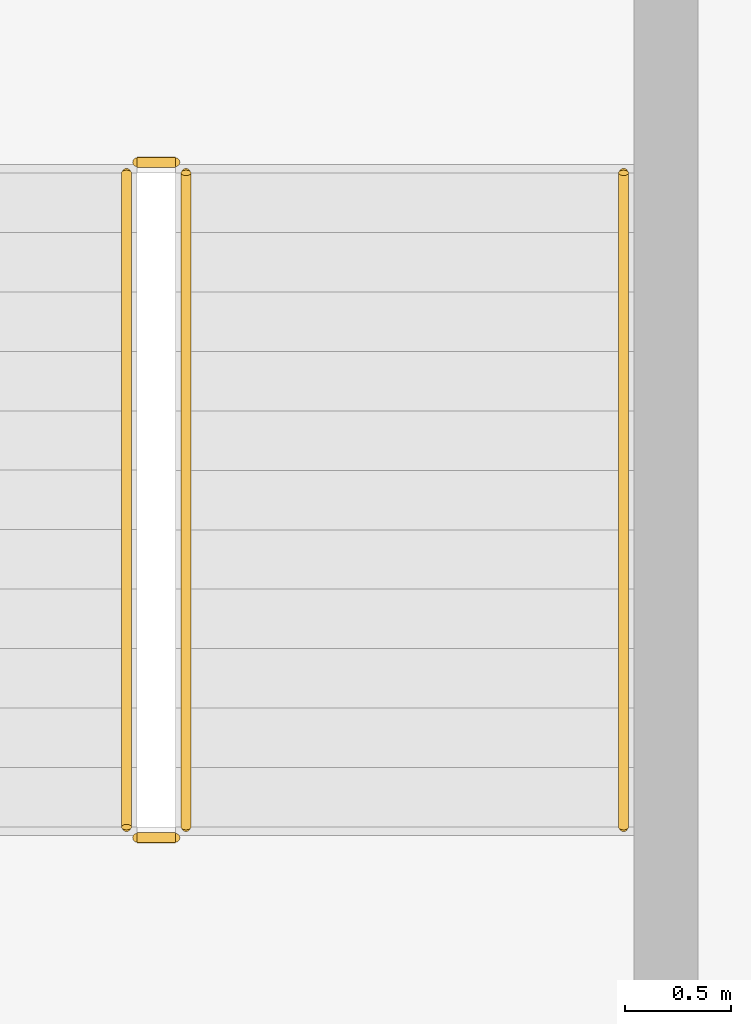
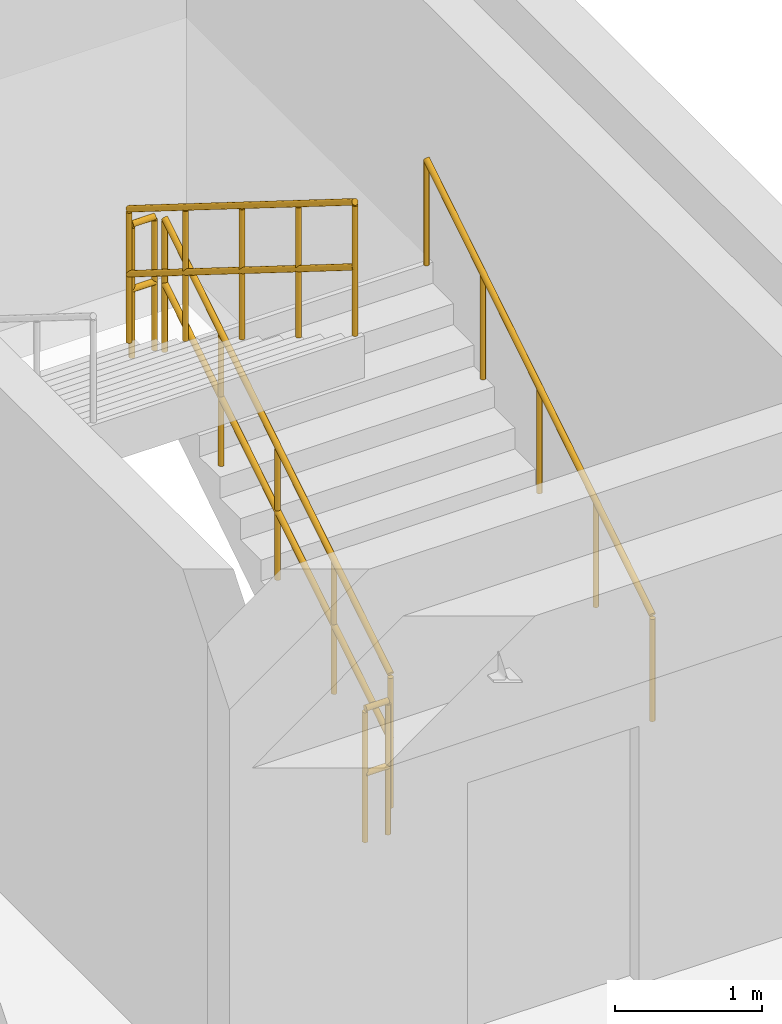
# One storey, part 81 of 83: 5 railings.
"""IFC4 building model written with IfcOpenShell, lengths in metres."""

import ifcopenshell
import ifcopenshell.guid

model = None  # the IFC model being written
_history = None  # IfcOwnerHistory: only IFC2X3 demands one
_inside = {}  # id of a spatial element -> (the spatial element, [elements in it])
_under = {}  # id of a project, library or spatial element -> (it, [spatial elements below it])
_declared = {}  # id of a project -> (the project, [libraries it declares])
_typed = {}  # id of a type object -> (the type object, [elements of that type])
_made_of = {}  # id of a material, layer set ... -> (it, [elements and type objects made of it])


def new_model(schema):
    """Start an empty IFC model of exactly this schema.

    Asked for "IFC4X3", IfcOpenShell would pick the latest addendum, in which some entities
    have other attributes; the version numbers below select the first issue.
    IFC2X3 requires an IfcOwnerHistory on every rooted entity: one is made here for all.
    """
    global model, _history
    if schema == "IFC4X3":
        model = ifcopenshell.file(schema_version=(4, 3, 0, 0))
    else:
        model = ifcopenshell.file(schema=schema)
    _inside.clear()
    _under.clear()
    _declared.clear()
    _typed.clear()
    _made_of.clear()
    _history = None
    if model.schema == "IFC2X3":
        org = make("IfcOrganization", Name="unknown")
        user = make(
            "IfcPersonAndOrganization",
            ThePerson=make("IfcPerson", FamilyName="unknown"),
            TheOrganization=org,
        )
        app = make(
            "IfcApplication",
            ApplicationDeveloper=org,
            Version="unknown",
            ApplicationFullName="unknown",
            ApplicationIdentifier="unknown",
        )
        _history = make(
            "IfcOwnerHistory",
            OwningUser=user,
            OwningApplication=app,
            ChangeAction="ADDED",
            CreationDate=0,
        )
    return model


def make(cls, **values):
    """One entity of the class cls with the attributes given. An attribute that is None is left unset."""
    return model.create_entity(
        cls, **{name: value for name, value in values.items() if value is not None}
    )


def rooted(cls, **values):
    """An entity with a GlobalId (a new one), such as an element, a storey or a relation."""
    return make(cls, GlobalId=ifcopenshell.guid.new(), OwnerHistory=_history, **values)


def si_unit(unit_type, name, prefix=None):
    """IfcSIUnit, for example si_unit("LENGTHUNIT", "METRE", prefix="MILLI")."""
    return make("IfcSIUnit", UnitType=unit_type, Prefix=prefix, Name=name)


def assignment(units):
    """IfcUnitAssignment: the units of a project."""
    return None if units is None else make("IfcUnitAssignment", Units=units)


def point(xyz):
    """IfcCartesianPoint."""
    return None if xyz is None else make("IfcCartesianPoint", Coordinates=xyz)


def direction(xyz):
    """IfcDirection."""
    return None if xyz is None else make("IfcDirection", DirectionRatios=xyz)


def frame(location, z_axis=None, x_axis=None):
    """IfcAxis2Placement3D, a coordinate frame: its origin and axes. An axis left out is left unset."""
    return make(
        "IfcAxis2Placement3D",
        Location=point(location),
        Axis=direction(z_axis),
        RefDirection=direction(x_axis),
    )


def frame_2d(location, x_axis=None):
    """IfcAxis2Placement2D, a coordinate frame in the plane: its origin and x axis."""
    return make(
        "IfcAxis2Placement2D", Location=point(location), RefDirection=direction(x_axis)
    )


def origin():
    """The frame at (0, 0, 0) with its axes left unset."""
    return frame((0.0, 0.0, 0.0))


def origin_2d():
    """The frame at (0, 0) in the plane with its x axis left unset."""
    return frame_2d((0.0, 0.0))


def place(relative_to, where):
    """IfcLocalPlacement: puts the frame where relative to a parent placement (None: the world)."""
    return make(
        "IfcLocalPlacement", PlacementRelTo=relative_to, RelativePlacement=where
    )


def context(
    kind, dimensions, precision=None, world=None, true_north=None, identifier=None
):
    """IfcGeometricRepresentationContext, for example the 3D "Model" context."""
    return make(
        "IfcGeometricRepresentationContext",
        ContextIdentifier=identifier,
        ContextType=kind,
        CoordinateSpaceDimension=dimensions,
        Precision=precision,
        WorldCoordinateSystem=world,
        TrueNorth=true_north,
    )


def subcontext(parent, identifier, kind, view, scale=None):
    """IfcGeometricRepresentationSubContext, for example "Body" below "Model"."""
    return make(
        "IfcGeometricRepresentationSubContext",
        ContextIdentifier=identifier,
        ContextType=kind,
        ParentContext=parent,
        TargetScale=scale,
        TargetView=view,
    )


def project(units=None, contexts=None):
    """IfcProject with its units and contexts."""
    return rooted(
        "IfcProject",
        Name="project",
        RepresentationContexts=contexts,
        UnitsInContext=assignment(units),
    )


def spatial(cls, under=None, at=None, **own):
    """A site, building, storey or space (cls), placed at a placement, below another one or the project."""
    s = rooted(cls, ObjectPlacement=at, **own)
    if under is not None:
        _under.setdefault(under.id(), (under, []))[1].append(s)
    return s


def profile(cls, at=None, kind="AREA", **sizes):
    """A parametric profile (cls). Its sizes go by their IFC names, for example OverallWidth=200.0."""
    return make(cls, ProfileType=kind, Position=at, **sizes)


def circle(**sizes):
    """IfcCircleProfileDef."""
    return profile("IfcCircleProfileDef", **sizes)


def extrude(swept, where, along, depth):
    """IfcExtrudedAreaSolid: the profile swept, set in the frame where, extruded along a direction by depth."""
    return make(
        "IfcExtrudedAreaSolid",
        SweptArea=swept,
        Position=where,
        ExtrudedDirection=direction(along),
        Depth=depth,
    )


def shape(context_of_items, identifier, shape_type, items):
    """IfcShapeRepresentation: the items that make up one representation, for example the "Body"."""
    return make(
        "IfcShapeRepresentation",
        ContextOfItems=context_of_items,
        RepresentationIdentifier=identifier,
        RepresentationType=shape_type,
        Items=items,
    )


def material(Name=None, Category=None):
    """IfcMaterial."""
    return make("IfcMaterial", Name=Name, Category=Category)


def layer(
    of_material, thickness, ventilated=None, Name=None, Category=None, Priority=None
):
    """IfcMaterialLayer: one layer of a wall or slab, of a material (None: an air gap)."""
    return make(
        "IfcMaterialLayer",
        Material=of_material,
        LayerThickness=thickness,
        IsVentilated=ventilated,
        Name=Name,
        Category=Category,
        Priority=Priority,
    )


def layer_set(layers, Name=None):
    """IfcMaterialLayerSet."""
    return make("IfcMaterialLayerSet", MaterialLayers=layers, LayerSetName=Name)


def made_of(thing, what):
    """Note that an element or type object is made of a material, layer set ...; save() writes the relation."""
    if what is not None:
        _made_of.setdefault(what.id(), (what, []))[1].append(thing)
    return thing


def type_object(cls, material=None, **own):
    """A type object (cls), such as IfcWallType, which elements share."""
    return made_of(rooted(cls, **own), material)


def element(
    cls,
    number,
    at=None,
    inside=None,
    cuts=None,
    type_object=None,
    material=None,
    context=None,
    identifier="Body",
    shape_type=None,
    held_by="IfcProductDefinitionShape",
    body=None,
    shapes=None,
    **own,
):
    """One element of the class cls, such as IfcWall. Its Tag is "e" and its number.

    at: its placement. inside: the storey or other place that contains it. cuts: it is an
    opening in that element (IfcRelVoidsElement). A single representation is given by context,
    identifier, shape_type and body (its items); several are given by shapes. held_by: the class
    of the entity that holds the representations. save() writes the other relations.
    """
    e = rooted(cls, Tag="e%d" % number, ObjectPlacement=at, **own)
    if body is not None:
        shapes = [shape(context, identifier, shape_type, body)]
    if shapes is not None:
        e.Representation = make(held_by, Representations=shapes)
    if inside is not None:
        _inside.setdefault(inside.id(), (inside, []))[1].append(e)
    if cuts is not None:
        rooted(
            "IfcRelVoidsElement", RelatingBuildingElement=cuts, RelatedOpeningElement=e
        )
    if type_object is not None:
        _typed.setdefault(type_object.id(), (type_object, []))[1].append(e)
    return made_of(e, material)


def aggregate(whole, parts):
    """IfcRelAggregates: a whole, such as a stair, and the parts it consists of."""
    return rooted("IfcRelAggregates", RelatingObject=whole, RelatedObjects=parts)


def save(model, path):
    """Write the relations noted so far, then the file.

    IfcRelAggregates (storeys below a building ...), IfcRelContainedInSpatialStructure (elements
    in a storey), IfcRelDefinesByType, IfcRelAssociatesMaterial and IfcRelDeclares: one each for
    every whole, place, type object, material and project.
    """
    for whole, parts in _under.values():
        aggregate(whole, parts)
    for where, things in _inside.values():
        rooted(
            "IfcRelContainedInSpatialStructure",
            RelatedElements=things,
            RelatingStructure=where,
        )
    for kind, things in _typed.values():
        rooted("IfcRelDefinesByType", RelatedObjects=things, RelatingType=kind)
    for what, things in _made_of.values():
        rooted("IfcRelAssociatesMaterial", RelatedObjects=things, RelatingMaterial=what)
    for by, libraries in _declared.values():
        rooted("IfcRelDeclares", RelatingContext=by, RelatedDefinitions=libraries)
    model.write(path)


model = new_model("IFC4")

# Units and contexts
model_context = context("Model", 3, precision=1e-05, world=origin(), true_north=direction((0.0, 1.0)))
body_context = subcontext(model_context, "Body", "Model", "MODEL_VIEW")
ifc_project = project(units=[si_unit("LENGTHUNIT", "METRE"), si_unit("AREAUNIT", "SQUARE_METRE"), si_unit("VOLUMEUNIT", "CUBIC_METRE"), si_unit("PLANEANGLEUNIT", "RADIAN"), si_unit("MASSUNIT", "GRAM", prefix="KILO")], contexts=[model_context])

# Site, building, storey
site_placement = place(None, origin())
site = spatial("IfcSite", under=ifc_project, at=site_placement, CompositionType="ELEMENT")
building_placement = place(site_placement, origin())
building = spatial("IfcBuilding", under=site, at=building_placement, Name="Kivolera Central Railway Station", CompositionType="ELEMENT")
storey_placement = place(building_placement, frame((0.0, 0.0, 14.39990234375)))
storey = spatial("IfcBuildingStorey", under=building, at=storey_placement, Name="L03", CompositionType="ELEMENT", Elevation=14.39990234375)

# Railings
ifc_material = material(Name="Anodised aluminium", Category="aluminium")
ifc_layer_1 = layer(ifc_material, 0.048095703125, Name="Anodised aluminium")
ifc_layer_set_1 = layer_set([ifc_layer_1], Name="Anodised aluminium")
railing_type_1 = type_object("IfcRailingType", Name="RL-STAIR-GUARD", PredefinedType="GUARDRAIL", material=ifc_layer_set_1)
railing_1_placement = place(storey_placement, frame((192.989990234375, 92.9599609375, 0.175048828125)))
element("IfcRailing", 1, at=railing_1_placement, inside=storey, type_object=railing_type_1, Name="L03 ST11 stair guard 1", PredefinedType="GUARDRAIL", context=body_context, shape_type="SweptSolid", body=[
    extrude(circle(Radius=0.02392578125, at=origin_2d()), frame((0.0, 0.0, 1.10595703125), z_axis=(0.0, 0.847998304005, 0.529998940003), x_axis=(-1.0, 0.0, 0.0)), (0.0, 0.0, 1.0), 3.632080078125),
    extrude(circle(Radius=0.02392578125, at=origin_2d()), frame((0.0, 0.0, 0.56494140625), z_axis=(0.0, 0.847998304005, 0.529998940003), x_axis=(-1.0, 0.0, 0.0)), (0.0, 0.0, 1.0), 3.632080078125),
    extrude(circle(Radius=0.02099609375, at=origin_2d()), origin(), (0.0, 0.0, 1.0), 1.081787109375),
    extrude(circle(Radius=0.02099609375, at=origin_2d()), frame((0.0, 0.77001953125, 0.481201171875)), (0.0, 0.0, 1.0), 1.081787109375),
    extrude(circle(Radius=0.02099609375, at=origin_2d()), frame((0.0, 1.5400390625, 0.96240234375)), (0.0, 0.0, 1.0), 1.081787109375),
    extrude(circle(Radius=0.02099609375, at=origin_2d()), frame((0.0, 2.31005859375, 1.44384765625)), (0.0, 0.0, 1.0), 1.081787109375),
    extrude(circle(Radius=0.02099609375, at=origin_2d()), frame((0.0, 3.080078125, 1.925048828125)), (0.0, 0.0, 1.0), 1.081787109375),
])
railing_2_placement = place(storey_placement, frame((192.93994140625, 96.090087890625, 2.10009765625)))
element("IfcRailing", 2, at=railing_2_placement, inside=storey, type_object=railing_type_1, Name="L03 ST11 stair guard 2", PredefinedType="GUARDRAIL", context=body_context, shape_type="SweptSolid", body=[
    extrude(circle(Radius=0.02392578125, at=origin_2d()), frame((0.0, 0.0, 1.10595703125), z_axis=(-1.0, 0.0, 0.0), x_axis=(0.0, -1.0, 0.0)), (0.0, 0.0, 1.0), 0.179931640625),
    extrude(circle(Radius=0.02392578125, at=origin_2d()), frame((0.0, 0.0, 0.56494140625), z_axis=(-1.0, 0.0, 0.0), x_axis=(0.0, -1.0, 0.0)), (0.0, 0.0, 1.0), 0.179931640625),
    extrude(circle(Radius=0.02099609375, at=origin_2d()), origin(), (0.0, 0.0, 1.0), 1.081787109375),
    extrude(circle(Radius=0.02099609375, at=origin_2d()), frame((-0.179931640625, 0.0, 0.0)), (0.0, 0.0, 1.0), 1.081787109375),
])
railing_3_placement = place(storey_placement, frame((192.7099609375, 96.0400390625, 2.275146484375)))
element("IfcRailing", 3, at=railing_3_placement, inside=storey, type_object=railing_type_1, Name="L03 ST11 stair guard 3", PredefinedType="GUARDRAIL", context=body_context, shape_type="SweptSolid", body=[
    extrude(circle(Radius=0.02392578125, at=origin_2d()), frame((0.0, 0.0, 1.10595703125), z_axis=(0.0, -0.847998304005, 0.529998940003), x_axis=(1.0, 0.0, 0.0)), (0.0, 0.0, 1.0), 3.632080078125),
    extrude(circle(Radius=0.02392578125, at=origin_2d()), frame((0.0, 0.0, 0.56494140625), z_axis=(0.0, -0.847998304005, 0.529998940003), x_axis=(1.0, 0.0, 0.0)), (0.0, 0.0, 1.0), 3.632080078125),
    extrude(circle(Radius=0.02099609375, at=origin_2d()), origin(), (0.0, 0.0, 1.0), 1.081787109375),
    extrude(circle(Radius=0.02099609375, at=origin_2d()), frame((0.0, -0.77001953125, 0.481201171875)), (0.0, 0.0, 1.0), 1.081787109375),
    extrude(circle(Radius=0.02099609375, at=origin_2d()), frame((0.0, -1.5400390625, 0.96240234375)), (0.0, 0.0, 1.0), 1.081787109375),
    extrude(circle(Radius=0.02099609375, at=origin_2d()), frame((0.0, -2.31005859375, 1.44384765625)), (0.0, 0.0, 1.0), 1.081787109375),
    extrude(circle(Radius=0.02099609375, at=origin_2d()), frame((0.0, -3.080078125, 1.925048828125)), (0.0, 0.0, 1.0), 1.081787109375),
])
railing_4_placement = place(storey_placement, frame((192.93994140625, 92.909912109375, 0.0)))
element("IfcRailing", 4, at=railing_4_placement, inside=storey, type_object=railing_type_1, Name="L03 ST11 stair guard 4", PredefinedType="GUARDRAIL", context=body_context, shape_type="SweptSolid", body=[
    extrude(circle(Radius=0.02392578125, at=origin_2d()), frame((0.0, 0.0, 1.10595703125), z_axis=(-1.0, 0.0, 0.0), x_axis=(0.0, -1.0, 0.0)), (0.0, 0.0, 1.0), 0.179931640625),
    extrude(circle(Radius=0.02392578125, at=origin_2d()), frame((0.0, 0.0, 0.56494140625), z_axis=(-1.0, 0.0, 0.0), x_axis=(0.0, -1.0, 0.0)), (0.0, 0.0, 1.0), 0.179931640625),
    extrude(circle(Radius=0.02099609375, at=origin_2d()), origin(), (0.0, 0.0, 1.0), 1.081787109375),
    extrude(circle(Radius=0.02099609375, at=origin_2d()), frame((-0.179931640625, 0.0, 0.0)), (0.0, 0.0, 1.0), 1.081787109375),
])
ifc_layer_2 = layer(ifc_material, 0.048095703125, Name="Anodised aluminium")
ifc_layer_set_2 = layer_set([ifc_layer_2], Name="Anodised aluminium")
railing_type_2 = type_object("IfcRailingType", Name="RL-STAIR-HAND", PredefinedType="HANDRAIL", material=ifc_layer_set_2)
railing_5_placement = place(storey_placement, frame((195.050048828125, 92.9599609375, 0.175048828125)))
element("IfcRailing", 5, at=railing_5_placement, inside=storey, type_object=railing_type_2, Name="L03 ST11 stair handrail 1", PredefinedType="HANDRAIL", context=body_context, shape_type="SweptSolid", body=[
    extrude(circle(Radius=0.02392578125, at=origin_2d()), frame((0.0, 0.0, 0.8759765625), z_axis=(0.0, 0.847998304005, 0.529998940003), x_axis=(-1.0, 0.0, 0.0)), (0.0, 0.0, 1.0), 3.632080078125),
    extrude(circle(Radius=0.02099609375, at=origin_2d()), origin(), (0.0, 0.0, 1.0), 0.851806640625),
    extrude(circle(Radius=0.02099609375, at=origin_2d()), frame((0.0, 0.77001953125, 0.481201171875)), (0.0, 0.0, 1.0), 0.851806640625),
    extrude(circle(Radius=0.02099609375, at=origin_2d()), frame((0.0, 1.5400390625, 0.96240234375)), (0.0, 0.0, 1.0), 0.851806640625),
    extrude(circle(Radius=0.02099609375, at=origin_2d()), frame((0.0, 2.31005859375, 1.44384765625)), (0.0, 0.0, 1.0), 0.851806640625),
    extrude(circle(Radius=0.02099609375, at=origin_2d()), frame((0.0, 3.080078125, 1.925048828125)), (0.0, 0.0, 1.0), 0.851806640625),
])

save(model, "model.ifc")
